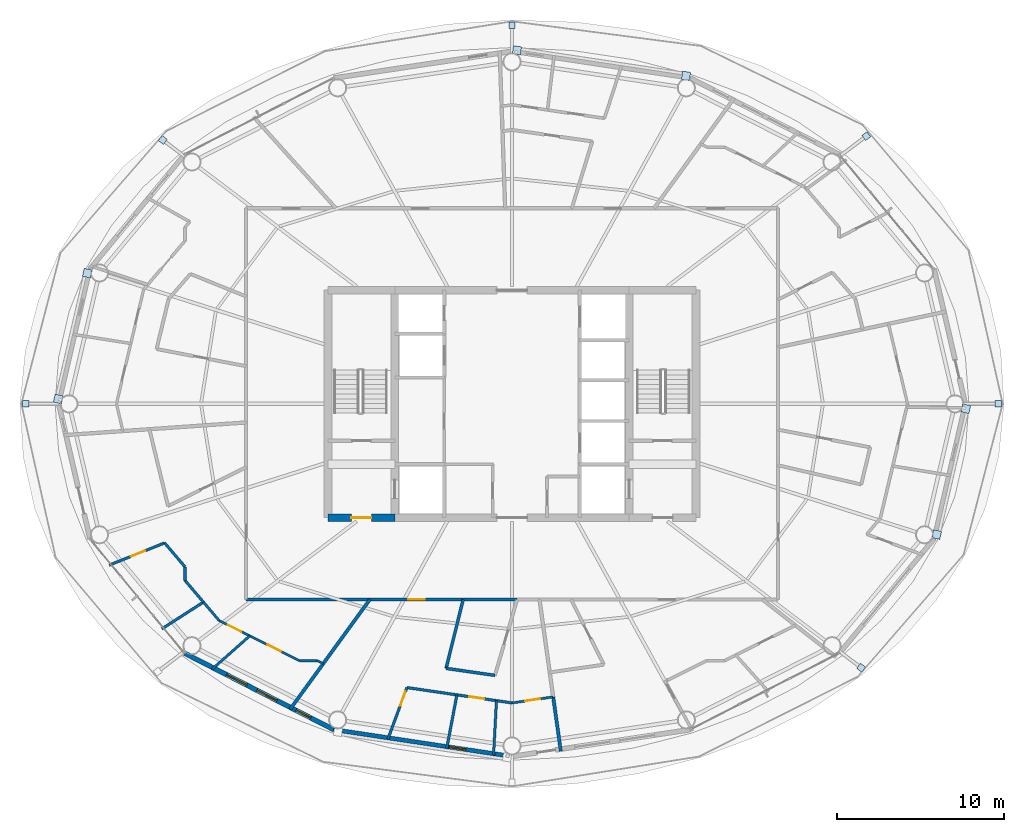
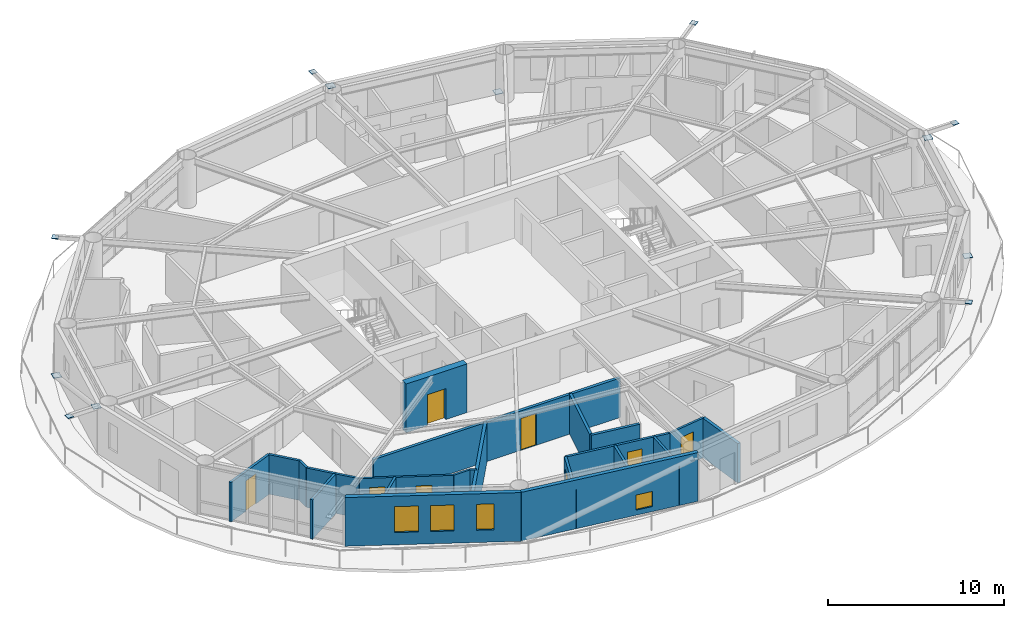
# One storey, part 20 of 30: 23 walls, 12 plates, 8 doors, 4 windows, 12 openings.
"""IFC4 building model written with IfcOpenShell, lengths in metres."""

import ifcopenshell
import ifcopenshell.guid

model = None  # the IFC model being written
_history = None  # IfcOwnerHistory: only IFC2X3 demands one
_inside = {}  # id of a spatial element -> (the spatial element, [elements in it])
_under = {}  # id of a project, library or spatial element -> (it, [spatial elements below it])
_declared = {}  # id of a project -> (the project, [libraries it declares])
_typed = {}  # id of a type object -> (the type object, [elements of that type])
_made_of = {}  # id of a material, layer set ... -> (it, [elements and type objects made of it])


def new_model(schema):
    """Start an empty IFC model of exactly this schema.

    Asked for "IFC4X3", IfcOpenShell would pick the latest addendum, in which some entities
    have other attributes; the version numbers below select the first issue.
    IFC2X3 requires an IfcOwnerHistory on every rooted entity: one is made here for all.
    """
    global model, _history
    if schema == "IFC4X3":
        model = ifcopenshell.file(schema_version=(4, 3, 0, 0))
    else:
        model = ifcopenshell.file(schema=schema)
    _inside.clear()
    _under.clear()
    _declared.clear()
    _typed.clear()
    _made_of.clear()
    _history = None
    if model.schema == "IFC2X3":
        org = make("IfcOrganization", Name="unknown")
        user = make(
            "IfcPersonAndOrganization",
            ThePerson=make("IfcPerson", FamilyName="unknown"),
            TheOrganization=org,
        )
        app = make(
            "IfcApplication",
            ApplicationDeveloper=org,
            Version="unknown",
            ApplicationFullName="unknown",
            ApplicationIdentifier="unknown",
        )
        _history = make(
            "IfcOwnerHistory",
            OwningUser=user,
            OwningApplication=app,
            ChangeAction="ADDED",
            CreationDate=0,
        )
    return model


def make(cls, **values):
    """One entity of the class cls with the attributes given. An attribute that is None is left unset."""
    return model.create_entity(
        cls, **{name: value for name, value in values.items() if value is not None}
    )


def rooted(cls, **values):
    """An entity with a GlobalId (a new one), such as an element, a storey or a relation."""
    return make(cls, GlobalId=ifcopenshell.guid.new(), OwnerHistory=_history, **values)


def si_unit(unit_type, name, prefix=None):
    """IfcSIUnit, for example si_unit("LENGTHUNIT", "METRE", prefix="MILLI")."""
    return make("IfcSIUnit", UnitType=unit_type, Prefix=prefix, Name=name)


def assignment(units):
    """IfcUnitAssignment: the units of a project."""
    return None if units is None else make("IfcUnitAssignment", Units=units)


def point(xyz):
    """IfcCartesianPoint."""
    return None if xyz is None else make("IfcCartesianPoint", Coordinates=xyz)


def direction(xyz):
    """IfcDirection."""
    return None if xyz is None else make("IfcDirection", DirectionRatios=xyz)


def frame(location, z_axis=None, x_axis=None):
    """IfcAxis2Placement3D, a coordinate frame: its origin and axes. An axis left out is left unset."""
    return make(
        "IfcAxis2Placement3D",
        Location=point(location),
        Axis=direction(z_axis),
        RefDirection=direction(x_axis),
    )


def frame_2d(location, x_axis=None):
    """IfcAxis2Placement2D, a coordinate frame in the plane: its origin and x axis."""
    return make(
        "IfcAxis2Placement2D", Location=point(location), RefDirection=direction(x_axis)
    )


def origin():
    """The frame at (0, 0, 0) with its axes left unset."""
    return frame((0.0, 0.0, 0.0))


def origin_2d():
    """The frame at (0, 0) in the plane with its x axis left unset."""
    return frame_2d((0.0, 0.0))


def place(relative_to, where):
    """IfcLocalPlacement: puts the frame where relative to a parent placement (None: the world)."""
    return make(
        "IfcLocalPlacement", PlacementRelTo=relative_to, RelativePlacement=where
    )


def context(
    kind, dimensions, precision=None, world=None, true_north=None, identifier=None
):
    """IfcGeometricRepresentationContext, for example the 3D "Model" context."""
    return make(
        "IfcGeometricRepresentationContext",
        ContextIdentifier=identifier,
        ContextType=kind,
        CoordinateSpaceDimension=dimensions,
        Precision=precision,
        WorldCoordinateSystem=world,
        TrueNorth=true_north,
    )


def subcontext(parent, identifier, kind, view, scale=None):
    """IfcGeometricRepresentationSubContext, for example "Body" below "Model"."""
    return make(
        "IfcGeometricRepresentationSubContext",
        ContextIdentifier=identifier,
        ContextType=kind,
        ParentContext=parent,
        TargetScale=scale,
        TargetView=view,
    )


def project(units=None, contexts=None):
    """IfcProject with its units and contexts."""
    return rooted(
        "IfcProject",
        Name="project",
        RepresentationContexts=contexts,
        UnitsInContext=assignment(units),
    )


def spatial(cls, under=None, at=None, **own):
    """A site, building, storey or space (cls), placed at a placement, below another one or the project."""
    s = rooted(cls, ObjectPlacement=at, **own)
    if under is not None:
        _under.setdefault(under.id(), (under, []))[1].append(s)
    return s


def profile(cls, at=None, kind="AREA", **sizes):
    """A parametric profile (cls). Its sizes go by their IFC names, for example OverallWidth=200.0."""
    return make(cls, ProfileType=kind, Position=at, **sizes)


def rectangle(**sizes):
    """IfcRectangleProfileDef."""
    return profile("IfcRectangleProfileDef", **sizes)


def extrude(swept, where, along, depth):
    """IfcExtrudedAreaSolid: the profile swept, set in the frame where, extruded along a direction by depth."""
    return make(
        "IfcExtrudedAreaSolid",
        SweptArea=swept,
        Position=where,
        ExtrudedDirection=direction(along),
        Depth=depth,
    )


def shape(context_of_items, identifier, shape_type, items):
    """IfcShapeRepresentation: the items that make up one representation, for example the "Body"."""
    return make(
        "IfcShapeRepresentation",
        ContextOfItems=context_of_items,
        RepresentationIdentifier=identifier,
        RepresentationType=shape_type,
        Items=items,
    )


def material(Name=None, Category=None):
    """IfcMaterial."""
    return make("IfcMaterial", Name=Name, Category=Category)


def layer(
    of_material, thickness, ventilated=None, Name=None, Category=None, Priority=None
):
    """IfcMaterialLayer: one layer of a wall or slab, of a material (None: an air gap)."""
    return make(
        "IfcMaterialLayer",
        Material=of_material,
        LayerThickness=thickness,
        IsVentilated=ventilated,
        Name=Name,
        Category=Category,
        Priority=Priority,
    )


def layer_set(layers, Name=None):
    """IfcMaterialLayerSet."""
    return make("IfcMaterialLayerSet", MaterialLayers=layers, LayerSetName=Name)


def made_of(thing, what):
    """Note that an element or type object is made of a material, layer set ...; save() writes the relation."""
    if what is not None:
        _made_of.setdefault(what.id(), (what, []))[1].append(thing)
    return thing


def type_object(cls, material=None, **own):
    """A type object (cls), such as IfcWallType, which elements share."""
    return made_of(rooted(cls, **own), material)


def element(
    cls,
    number,
    at=None,
    inside=None,
    cuts=None,
    type_object=None,
    material=None,
    context=None,
    identifier="Body",
    shape_type=None,
    held_by="IfcProductDefinitionShape",
    body=None,
    shapes=None,
    **own,
):
    """One element of the class cls, such as IfcWall. Its Tag is "e" and its number.

    at: its placement. inside: the storey or other place that contains it. cuts: it is an
    opening in that element (IfcRelVoidsElement). A single representation is given by context,
    identifier, shape_type and body (its items); several are given by shapes. held_by: the class
    of the entity that holds the representations. save() writes the other relations.
    """
    e = rooted(cls, Tag="e%d" % number, ObjectPlacement=at, **own)
    if body is not None:
        shapes = [shape(context, identifier, shape_type, body)]
    if shapes is not None:
        e.Representation = make(held_by, Representations=shapes)
    if inside is not None:
        _inside.setdefault(inside.id(), (inside, []))[1].append(e)
    if cuts is not None:
        rooted(
            "IfcRelVoidsElement", RelatingBuildingElement=cuts, RelatedOpeningElement=e
        )
    if type_object is not None:
        _typed.setdefault(type_object.id(), (type_object, []))[1].append(e)
    return made_of(e, material)


def fill(opening, filler):
    """IfcRelFillsElement: the door or window that sits in an opening."""
    return rooted(
        "IfcRelFillsElement",
        RelatingOpeningElement=opening,
        RelatedBuildingElement=filler,
    )


def aggregate(whole, parts):
    """IfcRelAggregates: a whole, such as a stair, and the parts it consists of."""
    return rooted("IfcRelAggregates", RelatingObject=whole, RelatedObjects=parts)


def save(model, path):
    """Write the relations noted so far, then the file.

    IfcRelAggregates (storeys below a building ...), IfcRelContainedInSpatialStructure (elements
    in a storey), IfcRelDefinesByType, IfcRelAssociatesMaterial and IfcRelDeclares: one each for
    every whole, place, type object, material and project.
    """
    for whole, parts in _under.values():
        aggregate(whole, parts)
    for where, things in _inside.values():
        rooted(
            "IfcRelContainedInSpatialStructure",
            RelatedElements=things,
            RelatingStructure=where,
        )
    for kind, things in _typed.values():
        rooted("IfcRelDefinesByType", RelatedObjects=things, RelatingType=kind)
    for what, things in _made_of.values():
        rooted("IfcRelAssociatesMaterial", RelatedObjects=things, RelatingMaterial=what)
    for by, libraries in _declared.values():
        rooted("IfcRelDeclares", RelatingContext=by, RelatedDefinitions=libraries)
    model.write(path)


model = new_model("IFC4")

# Units and contexts
model_context = context("Model", 3, precision=1e-05, world=origin(), true_north=direction((0.0, 1.0)))
body_context = subcontext(model_context, "Body", "Model", "MODEL_VIEW")
ifc_project = project(units=[si_unit("LENGTHUNIT", "METRE"), si_unit("AREAUNIT", "SQUARE_METRE"), si_unit("VOLUMEUNIT", "CUBIC_METRE"), si_unit("PLANEANGLEUNIT", "RADIAN"), si_unit("MASSUNIT", "GRAM", prefix="KILO")], contexts=[model_context])

# Site, building, storey
site_placement = place(None, origin())
site = spatial("IfcSite", under=ifc_project, at=site_placement, CompositionType="ELEMENT")
building_placement = place(site_placement, origin())
building = spatial("IfcBuilding", under=site, at=building_placement, Name="Sarneth Arch Tower", CompositionType="ELEMENT")
storey_placement = place(building_placement, frame((0.0, 0.0, 168.60009765625)))
storey = spatial("IfcBuildingStorey", under=building, at=storey_placement, Name="L42", CompositionType="ELEMENT", Elevation=168.60009765625)

# Plates
ifc_material_1 = material(Name="Steel S355", Category="steel")
ifc_layer_1 = layer(ifc_material_1, 0.035888671875)
ifc_layer_set_1 = layer_set([ifc_layer_1], Name="Steel S355")
plate_type = type_object("IfcPlateType", Name="PLT-GUSSET-30", PredefinedType="SHEET", material=ifc_layer_set_1)
for number, where, z_axis, x_axis, name in (
    (1, (77.059814453125, 42.0, 3.2021484375), (0.0, 0.0, 1.0), (1.0, 0.0, 0.0), "Steel end cap plate GP-1"),
    (2, (69.180908203125, 58.007568359375, 3.2021484375), (0.0, 0.0, 1.0), (0.797794439539, 0.602929541689, 0.0), "Steel end cap plate GP-1"),
):
    element("IfcPlate", number, at=place(storey_placement, frame(where, z_axis=z_axis, x_axis=x_axis)), inside=storey, type_object=plate_type, Name=name, PredefinedType="SHEET", context=body_context, shape_type="SweptSolid", body=[
        extrude(rectangle(XDim=0.3798828125, YDim=0.3798828125, at=origin_2d()), origin(), (0.0, 0.0, 1.0), 0.035888671875),
    ])
for number, where, z_axis, x_axis, name in (
    (3, (58.404296875, 61.612548828125, 0.001953125), (0.0, 0.0, 1.0), (-0.98883454203, 0.149017611339, 0.0), "Steel end cap plate GP-1"),
    (4, (48.296630859375, 63.13525390625, 3.03271484375), (0.0, 0.0, 1.0), (-0.98883454203, 0.149017611339, 0.0), "Steel end cap plate GP-1"),
):
    element("IfcPlate", number, at=place(storey_placement, frame(where, z_axis=z_axis, x_axis=x_axis)), inside=storey, type_object=plate_type, Name=name, PredefinedType="SHEET", context=body_context, shape_type="SweptSolid", body=[
        extrude(rectangle(XDim=0.486083984375, YDim=0.486083984375, at=origin_2d()), origin(), (0.0, 0.0, 1.0), 0.035888671875),
    ])
for number, where, z_axis, x_axis, name in (
    (5, (48.0, 64.627197265625, 3.2021484375), (0.0, 0.0, 1.0), (0.0, 1.0, 0.0), "Steel end cap plate GP-1"),
    (6, (27.123779296875, 57.777099609375, 3.2021484375), (0.0, 0.0, 1.0), (-0.797794439539, 0.602929541689, 0.0), "Steel end cap plate GP-1"),
):
    element("IfcPlate", number, at=place(storey_placement, frame(where, z_axis=z_axis, x_axis=x_axis)), inside=storey, type_object=plate_type, Name=name, PredefinedType="SHEET", context=body_context, shape_type="SweptSolid", body=[
        extrude(rectangle(XDim=0.3798828125, YDim=0.3798828125, at=origin_2d()), origin(), (0.0, 0.0, 1.0), 0.035888671875),
    ])
for number, where, z_axis, x_axis, name in (
    (7, (22.609619140625, 49.81298828125, 0.001953125), (0.0, 0.0, 1.0), (-0.225291159947, -0.974291482694, 0.0), "Steel end cap plate GP-1"),
    (8, (20.87109375, 42.292236328125, 3.03271484375), (0.0, 0.0, 1.0), (-0.225291159947, -0.974291482694, 0.0), "Steel end cap plate GP-1"),
):
    element("IfcPlate", number, at=place(storey_placement, frame(where, z_axis=z_axis, x_axis=x_axis)), inside=storey, type_object=plate_type, Name=name, PredefinedType="SHEET", context=body_context, shape_type="SweptSolid", body=[
        extrude(rectangle(XDim=0.486083984375, YDim=0.486083984375, at=origin_2d()), origin(), (0.0, 0.0, 1.0), 0.035888671875),
    ])
for number, where, z_axis, x_axis, name in (
    (9, (18.940185546875, 42.0, 3.2021484375), (0.0, 0.0, 1.0), (-1.0, 0.0, 0.0), "Steel end cap plate GP-1"),
    (10, (68.876220703125, 26.222900390625, 3.2021484375), (0.0, 0.0, 1.0), (0.797794439539, -0.602929541689, 0.0), "Steel end cap plate GP-1"),
):
    element("IfcPlate", number, at=place(storey_placement, frame(where, z_axis=z_axis, x_axis=x_axis)), inside=storey, type_object=plate_type, Name=name, PredefinedType="SHEET", context=body_context, shape_type="SweptSolid", body=[
        extrude(rectangle(XDim=0.3798828125, YDim=0.3798828125, at=origin_2d()), origin(), (0.0, 0.0, 1.0), 0.035888671875),
    ])
for number, where, z_axis, x_axis, name in (
    (11, (73.390380859375, 34.18701171875, 0.001953125), (0.0, 0.0, 1.0), (0.225291159947, 0.974291482694, 0.0), "Steel end cap plate GP-1"),
    (12, (75.12890625, 41.707763671875, 3.03271484375), (0.0, 0.0, 1.0), (0.225291159947, 0.974291482694, 0.0), "Steel end cap plate GP-1"),
):
    element("IfcPlate", number, at=place(storey_placement, frame(where, z_axis=z_axis, x_axis=x_axis)), inside=storey, type_object=plate_type, Name=name, PredefinedType="SHEET", context=body_context, shape_type="SweptSolid", body=[
        extrude(rectangle(XDim=0.486083984375, YDim=0.486083984375, at=origin_2d()), origin(), (0.0, 0.0, 1.0), 0.035888671875),
    ])

# Wall, opening, door
ifc_material_2 = material(Name="Concrete C50/60", Category="concrete")
ifc_layer_2 = layer(ifc_material_2, 0.449951171875)
ifc_layer_set_2 = layer_set([ifc_layer_2], Name="Concrete C50/60")
wall_type_1 = type_object("IfcWallType", Name="WALL-CORE-450", PredefinedType="SHEAR", material=ifc_layer_set_2)
wall_1_placement = place(storey_placement, frame((37.0, 35.199951171875, 0.0), z_axis=(0.0, 0.0, 1.0), x_axis=(1.0, 0.0, 0.0)))
wall_1 = element("IfcWall", 13, at=wall_1_placement, inside=storey, type_object=wall_type_1, Name="L42 Core shear wall S-W", PredefinedType="SHEAR", context=body_context, shape_type="SweptSolid", body=[
    extrude(rectangle(XDim=4.0, YDim=0.449951171875, at=frame_2d((2.0, 0.0))), origin(), (0.0, 0.0, 1.0), 3.3798828125),
])
opening_1_placement = place(wall_1_placement, frame((1.39990234375, 0.0, 0.0)))
opening_1 = element("IfcOpeningElement", 14, at=opening_1_placement, cuts=wall_1, Name="Opening FD-02", PredefinedType="OPENING", context=body_context, shape_type="SweptSolid", body=[
    extrude(rectangle(XDim=1.199951171875, YDim=2.14990234375, at=frame_2d((0.60009765625, 1.074951171875))), frame((0.0, 0.23486328125, 0.0), z_axis=(0.0, -1.0, 0.0), x_axis=(1.0, 0.0, 0.0)), (0.0, 0.0, 1.0), 0.469970703125),
])
ifc_material_3 = material(Name="Galvanised Steel S275 fire door set", Category="steel")
door_type_1 = type_object("IfcDoorType", Name="DR-FD90-1200", OperationType="SINGLE_SWING_LEFT", PredefinedType="DOOR", material=ifc_material_3)
door_1_placement = place(opening_1_placement, origin())
door_1 = element("IfcDoor", 15, at=door_1_placement, inside=storey, type_object=door_type_1, Name="L42 Firefighting lobby 1 exit door", OperationType="SINGLE_SWING_LEFT", OverallHeight=2.14990234375, OverallWidth=1.199951171875, PredefinedType="DOOR", context=body_context, shape_type="SweptSolid", body=[
    extrude(rectangle(XDim=1.199951171875, YDim=2.14990234375, at=frame_2d((0.60009765625, 1.074951171875))), frame((0.0, 0.02490234375, 0.0), z_axis=(0.0, -1.0, 0.0), x_axis=(1.0, 0.0, 0.0)), (0.0, 0.0, 1.0), 0.050048828125),
])
fill(opening_1, door_1)

ifc_material_4 = material(Name="Double steel-stud corridor fire wall", Category="steel")
ifc_layer_3 = layer(ifc_material_4, 0.18994140625)
ifc_layer_set_3 = layer_set([ifc_layer_3], Name="Double steel-stud corridor fire wall")
wall_type_2 = type_object("IfcWallType", Name="WALL-CORR-190", PredefinedType="PARTITIONING", material=ifc_layer_set_3)
wall_2_placement = place(storey_placement, frame((48.307861328125, 30.300048828125, 0.0), z_axis=(0.0, 0.0, 1.0), x_axis=(-1.0, 0.0, 0.0)))
wall_2 = element("IfcWall", 16, at=wall_2_placement, inside=storey, type_object=wall_type_2, Name="L42 Interior partition W-L42-TP-011", PredefinedType="PARTITIONING", context=body_context, shape_type="SweptSolid", body=[
    extrude(rectangle(XDim=16.207763671875, YDim=0.18994140625, at=frame_2d((8.10400390625, 0.0))), origin(), (0.0, 0.0, 1.0), 2.739990234375),
])
opening_2_placement = place(wall_2_placement, frame((5.52001953125, 0.0, 0.0)))
opening_2 = element("IfcOpeningElement", 17, at=opening_2_placement, cuts=wall_2, Name="Opening FD-08", PredefinedType="OPENING", context=body_context, shape_type="SweptSolid", body=[
    extrude(rectangle(XDim=1.0, YDim=2.199951171875, at=frame_2d((0.5, 1.10009765625))), frame((0.0, 0.10498046875, 0.0), z_axis=(0.0, -1.0, 0.0), x_axis=(1.0, 0.0, 0.0)), (0.0, 0.0, 1.0), 0.2099609375),
])
ifc_material_5 = material(Name="Hardwood timber acoustic fire door", Category="wood")
door_type_2 = type_object("IfcDoorType", Name="DR-FD60-1000", OperationType="SINGLE_SWING_LEFT", PredefinedType="DOOR", material=ifc_material_5)
door_2_placement = place(opening_2_placement, origin())
door_2 = element("IfcDoor", 18, at=door_2_placement, inside=storey, type_object=door_type_2, Name="L42 Interior door DR-L42-U6-ENT", OperationType="SINGLE_SWING_RIGHT", OverallHeight=2.199951171875, OverallWidth=1.0, PredefinedType="DOOR", context=body_context, shape_type="SweptSolid", body=[
    extrude(rectangle(XDim=1.0, YDim=2.199951171875, at=frame_2d((0.5, 1.10009765625))), frame((0.0, 0.02490234375, 0.0), z_axis=(0.0, -1.0, 0.0), x_axis=(1.0, 0.0, 0.0)), (0.0, 0.0, 1.0), 0.050048828125),
])
fill(opening_2, door_2)

# Wall, opening, window
ifc_material_6 = material(Name="Extruded terracotta rainscreen on Concrete C40/50 backing", Category="masonry")
ifc_layer_4 = layer(ifc_material_6, 0.25)
ifc_layer_set_4 = layer_set([ifc_layer_4], Name="Extruded terracotta rainscreen on Concrete C40/50 backing")
wall_type_3 = type_object("IfcWallType", Name="WALL-EXT-SPAND-250", PredefinedType="SOLIDWALL", material=ifc_layer_set_4)
wall_3_placement = place(storey_placement, frame((37.337158203125, 22.524658203125, 0.0), z_axis=(0.0, 0.0, 1.0), x_axis=(0.988863993413, -0.148822049884, 0.0)))
wall_3 = element("IfcWall", 19, at=wall_3_placement, inside=storey, type_object=wall_type_3, Name="L42 Terracotta perimeter wall 12", PredefinedType="SOLIDWALL", context=body_context, shape_type="SweptSolid", body=[
    extrude(rectangle(XDim=10.782958984375, YDim=0.25, at=frame_2d((5.3916015625, 0.0))), origin(), (0.0, 0.0, 1.0), 3.3798828125),
])
opening_3_placement = place(wall_3_placement, frame((6.993408203125, 0.0, 0.35009765625)))
opening_3 = element("IfcOpeningElement", 20, at=opening_3_placement, cuts=wall_3, Name="Opening W-14", PredefinedType="OPENING", context=body_context, shape_type="SweptSolid", body=[
    extrude(rectangle(XDim=1.0, YDim=1.050048828125, at=frame_2d((0.5, 0.52490234375))), frame((0.0, 0.135009765625, 0.0), z_axis=(0.0, -1.0, 0.0), x_axis=(1.0, 0.0, 0.0)), (0.0, 0.0, 1.0), 0.27001953125),
])
ifc_material_7 = material(Name="Thermally broken Aluminium 6063-T6 and low-e laminated IGU", Category="aluminium")
window_type_1 = type_object("IfcWindowType", Name="WIN-TWR-1000x1050", PartitioningType="SINGLE_PANEL", PredefinedType="WINDOW", material=ifc_material_7)
window_1_placement = place(opening_3_placement, origin())
window_1 = element("IfcWindow", 21, at=window_1_placement, inside=storey, type_object=window_type_1, Name="L42 Dwelling bedroom window 05", OverallHeight=1.050048828125, OverallWidth=1.0, PartitioningType="SINGLE_PANEL", PredefinedType="WINDOW", context=body_context, shape_type="SweptSolid", body=[
    extrude(rectangle(XDim=1.0, YDim=1.050048828125, at=frame_2d((0.5, 0.52490234375))), frame((0.0, 0.030029296875, 0.0), z_axis=(0.0, -1.0, 0.0), x_axis=(1.0, 0.0, 0.0)), (0.0, 0.0, 1.0), 0.06005859375),
])
fill(opening_3, window_1)

# Wall, openings, windows
ifc_material_8 = material(Name="Extruded terracotta rainscreen on Concrete C40/50 backing", Category="masonry")
ifc_layer_5 = layer(ifc_material_8, 0.280029296875)
ifc_layer_set_5 = layer_set([ifc_layer_5], Name="Extruded terracotta rainscreen on Concrete C40/50 backing")
wall_type_4 = type_object("IfcWallType", Name="WALL-EXT-TERRA-280", PredefinedType="SOLIDWALL", material=ifc_layer_set_5)
wall_4_placement = place(storey_placement, frame((28.423828125, 27.09423828125, 0.0), z_axis=(0.0, 0.0, 1.0), x_axis=(0.889872523182, -0.456209263919, 0.0)))
wall_4 = element("IfcWall", 22, at=wall_4_placement, inside=storey, type_object=wall_type_4, Name="L42 Terracotta perimeter wall 11", PredefinedType="SOLIDWALL", context=body_context, shape_type="SweptSolid", body=[
    extrude(rectangle(XDim=10.016357421875, YDim=0.280029296875, at=frame_2d((5.00830078125, 0.0))), origin(), (0.0, 0.0, 1.0), 3.3798828125),
])
opening_4_placement = place(wall_4_placement, frame((2.8291015625, 0.0, 0.85009765625)))
opening_4 = element("IfcOpeningElement", 23, at=opening_4_placement, cuts=wall_4, Name="Opening W-08", PredefinedType="OPENING", context=body_context, shape_type="SweptSolid", body=[
    extrude(rectangle(XDim=1.35009765625, YDim=1.800048828125, at=frame_2d((0.675048828125, 0.89990234375))), frame((0.0, 0.14990234375, 0.0), z_axis=(0.0, -1.0, 0.0), x_axis=(1.0, 0.0, 0.0)), (0.0, 0.0, 1.0), 0.300048828125),
])
opening_5_placement = place(wall_4_placement, frame((4.861083984375, 0.0, 0.85009765625)))
opening_5 = element("IfcOpeningElement", 24, at=opening_5_placement, cuts=wall_4, Name="Opening W-08", PredefinedType="OPENING", context=body_context, shape_type="SweptSolid", body=[
    extrude(rectangle(XDim=1.35009765625, YDim=1.800048828125, at=frame_2d((0.675048828125, 0.89990234375))), frame((0.0, 0.14990234375, 0.0), z_axis=(0.0, -1.0, 0.0), x_axis=(1.0, 0.0, 0.0)), (0.0, 0.0, 1.0), 0.300048828125),
])
opening_6_placement = place(wall_4_placement, frame((7.479248046875, 0.0, 0.85009765625)))
opening_6 = element("IfcOpeningElement", 25, at=opening_6_placement, cuts=wall_4, Name="Opening W-11", PredefinedType="OPENING", context=body_context, shape_type="SweptSolid", body=[
    extrude(rectangle(XDim=1.0, YDim=1.800048828125, at=frame_2d((0.5, 0.89990234375))), frame((0.0, 0.14990234375, 0.0), z_axis=(0.0, -1.0, 0.0), x_axis=(1.0, 0.0, 0.0)), (0.0, 0.0, 1.0), 0.300048828125),
])
ifc_material_9 = material(Name="Thermally broken Aluminium 6063-T6 and low-e laminated IGU", Category="aluminium")
window_type_2 = type_object("IfcWindowType", Name="WIN-TWR-1000x1800", PartitioningType="SINGLE_PANEL", PredefinedType="WINDOW", material=ifc_material_9)
window_2_placement = place(opening_6_placement, origin())
window_2 = element("IfcWindow", 26, at=window_2_placement, inside=storey, type_object=window_type_2, Name="L42 Exterior window 11C", OverallHeight=1.800048828125, OverallWidth=1.0, PartitioningType="SINGLE_PANEL", PredefinedType="WINDOW", context=body_context, shape_type="SweptSolid", body=[
    extrude(rectangle(XDim=1.0, YDim=1.800048828125, at=frame_2d((0.5, 0.89990234375))), frame((0.0, 0.030029296875, 0.0), z_axis=(0.0, -1.0, 0.0), x_axis=(1.0, 0.0, 0.0)), (0.0, 0.0, 1.0), 0.06005859375),
])
fill(opening_6, window_2)
ifc_material_10 = material(Name="Thermally broken Aluminium 6063-T6 and low-e laminated IGU", Category="aluminium")
window_type_3 = type_object("IfcWindowType", Name="WIN-TWR-1350x1800", PartitioningType="SINGLE_PANEL", PredefinedType="WINDOW", material=ifc_material_10)
window_3_placement = place(opening_4_placement, origin())
window_3 = element("IfcWindow", 27, at=window_3_placement, inside=storey, type_object=window_type_3, Name="L42 Exterior window 11A", OverallHeight=1.800048828125, OverallWidth=1.35009765625, PartitioningType="SINGLE_PANEL", PredefinedType="WINDOW", context=body_context, shape_type="SweptSolid", body=[
    extrude(rectangle(XDim=1.35009765625, YDim=1.800048828125, at=frame_2d((0.675048828125, 0.89990234375))), frame((0.0, 0.030029296875, 0.0), z_axis=(0.0, -1.0, 0.0), x_axis=(1.0, 0.0, 0.0)), (0.0, 0.0, 1.0), 0.06005859375),
])
fill(opening_4, window_3)
window_4_placement = place(opening_5_placement, origin())
window_4 = element("IfcWindow", 28, at=window_4_placement, inside=storey, type_object=window_type_3, Name="L42 Exterior window 11B", OverallHeight=1.800048828125, OverallWidth=1.35009765625, PartitioningType="SINGLE_PANEL", PredefinedType="WINDOW", context=body_context, shape_type="SweptSolid", body=[
    extrude(rectangle(XDim=1.35009765625, YDim=1.800048828125, at=frame_2d((0.675048828125, 0.89990234375))), frame((0.0, 0.030029296875, 0.0), z_axis=(0.0, -1.0, 0.0), x_axis=(1.0, 0.0, 0.0)), (0.0, 0.0, 1.0), 0.06005859375),
])
fill(opening_5, window_4)

# Wall, openings, doors
ifc_material_11 = material(Name="Apartment internal stud partition", Category="gypsum")
ifc_layer_6 = layer(ifc_material_11, 0.139892578125)
ifc_layer_set_6 = layer_set([ifc_layer_6], Name="Apartment internal stud partition")
wall_type_5 = type_object("IfcWallType", Name="WALL-PART-140", PredefinedType="PARTITIONING", material=ifc_layer_set_6)
wall_5_placement = place(storey_placement, frame((35.28662109375, 26.64990234375, 0.0), z_axis=(0.0, 0.0, 1.0), x_axis=(-0.894937323042, 0.44619187333, 0.0)))
wall_5 = element("IfcWall", 29, at=wall_5_placement, inside=storey, type_object=wall_type_5, Name="L42 Interior partition W-L42-TP-080", PredefinedType="PARTITIONING", context=body_context, shape_type="SweptSolid", body=[
    extrude(rectangle(XDim=5.35400390625, YDim=0.139892578125, at=frame_2d((2.677001953125, 0.0))), origin(), (0.0, 0.0, 1.0), 2.739990234375),
])
opening_7_placement = place(wall_5_placement, frame((1.22412109375, 0.0, 0.0)))
opening_7 = element("IfcOpeningElement", 30, at=opening_7_placement, cuts=wall_5, Name="Opening ID-01", PredefinedType="OPENING", context=body_context, shape_type="SweptSolid", body=[
    extrude(rectangle(XDim=0.89990234375, YDim=2.10009765625, at=frame_2d((0.449951171875, 1.050048828125))), frame((0.0, 0.079833984375, 0.0), z_axis=(0.0, -1.0, 0.0), x_axis=(1.0, 0.0, 0.0)), (0.0, 0.0, 1.0), 0.159912109375),
])
opening_8_placement = place(wall_5_placement, frame((3.8837890625, 0.0, 0.0)))
opening_8 = element("IfcOpeningElement", 31, at=opening_8_placement, cuts=wall_5, Name="Opening ID-01", PredefinedType="OPENING", context=body_context, shape_type="SweptSolid", body=[
    extrude(rectangle(XDim=0.89990234375, YDim=2.10009765625, at=frame_2d((0.449951171875, 1.050048828125))), frame((0.0, 0.079833984375, 0.0), z_axis=(0.0, -1.0, 0.0), x_axis=(1.0, 0.0, 0.0)), (0.0, 0.0, 1.0), 0.159912109375),
])
ifc_material_12 = material(Name="Engineered hardwood flush door", Category="wood")
door_type_3 = type_object("IfcDoorType", Name="DR-INT-900", OperationType="SINGLE_SWING_LEFT", PredefinedType="DOOR", material=ifc_material_12)
door_3_placement = place(opening_7_placement, origin())
door_3 = element("IfcDoor", 32, at=door_3_placement, inside=storey, type_object=door_type_3, Name="L42 Interior door DR-L42-U5-BED2", OperationType="SINGLE_SWING_RIGHT", OverallHeight=2.10009765625, OverallWidth=0.89990234375, PredefinedType="DOOR", context=body_context, shape_type="SweptSolid", body=[
    extrude(rectangle(XDim=0.89990234375, YDim=2.10009765625, at=frame_2d((0.449951171875, 1.050048828125))), frame((0.0, 0.02490234375, 0.0), z_axis=(0.0, -1.0, 0.0), x_axis=(1.0, 0.0, 0.0)), (0.0, 0.0, 1.0), 0.050048828125),
])
fill(opening_7, door_3)
door_4_placement = place(opening_8_placement, origin())
door_4 = element("IfcDoor", 33, at=door_4_placement, inside=storey, type_object=door_type_3, Name="L42 Interior door DR-L42-U5-BED1", OperationType="SINGLE_SWING_RIGHT", OverallHeight=2.10009765625, OverallWidth=0.89990234375, PredefinedType="DOOR", context=body_context, shape_type="SweptSolid", body=[
    extrude(rectangle(XDim=0.89990234375, YDim=2.10009765625, at=frame_2d((0.449951171875, 1.050048828125))), frame((0.0, 0.02490234375, 0.0), z_axis=(0.0, -1.0, 0.0), x_axis=(1.0, 0.0, 0.0)), (0.0, 0.0, 1.0), 0.050048828125),
])
fill(opening_8, door_4)

# Wall, opening, door
wall_6_placement = place(storey_placement, frame((50.46240234375, 24.47998046875, 0.0), z_axis=(0.0, 0.0, 1.0), x_axis=(-0.989489157172, -0.144607080872, 0.0)))
wall_6 = element("IfcWall", 34, at=wall_6_placement, inside=storey, type_object=wall_type_5, Name="L42 Interior partition W-L42-TP-091", PredefinedType="PARTITIONING", context=body_context, shape_type="SweptSolid", body=[
    extrude(rectangle(XDim=2.488525390625, YDim=0.139892578125, at=frame_2d((1.244140625, 0.0))), origin(), (0.0, 0.0, 1.0), 2.739990234375),
])
opening_9_placement = place(wall_6_placement, frame((0.794189453125, 0.0, 0.0)))
opening_9 = element("IfcOpeningElement", 35, at=opening_9_placement, cuts=wall_6, Name="Opening ID-01", PredefinedType="OPENING", context=body_context, shape_type="SweptSolid", body=[
    extrude(rectangle(XDim=0.89990234375, YDim=2.10009765625, at=frame_2d((0.449951171875, 1.050048828125))), frame((0.0, 0.079833984375, 0.0), z_axis=(0.0, -1.0, 0.0), x_axis=(1.0, 0.0, 0.0)), (0.0, 0.0, 1.0), 0.159912109375),
])
door_5_placement = place(opening_9_placement, origin())
door_5 = element("IfcDoor", 36, at=door_5_placement, inside=storey, type_object=door_type_3, Name="L42 Interior door DR-L42-U6-BED2", OperationType="SINGLE_SWING_LEFT", OverallHeight=2.10009765625, OverallWidth=0.89990234375, PredefinedType="DOOR", context=body_context, shape_type="SweptSolid", body=[
    extrude(rectangle(XDim=0.89990234375, YDim=2.10009765625, at=frame_2d((0.449951171875, 1.050048828125))), frame((0.0, 0.02490234375, 0.0), z_axis=(0.0, -1.0, 0.0), x_axis=(1.0, 0.0, 0.0)), (0.0, 0.0, 1.0), 0.050048828125),
])
fill(opening_9, door_5)

# Walls
wall_7_placement = place(storey_placement, frame((36.348876953125, 26.64990234375, 0.0), z_axis=(0.0, 0.0, 1.0), x_axis=(-1.0, 0.0, 0.0)))
element("IfcWall", 37, at=wall_7_placement, inside=storey, type_object=wall_type_5, Name="L42 Interior partition W-L42-TP-079", PredefinedType="PARTITIONING", context=body_context, shape_type="SweptSolid", body=[
    extrude(rectangle(XDim=1.062255859375, YDim=0.139892578125, at=frame_2d((0.53125, 0.0))), origin(), (0.0, 0.0, 1.0), 2.739990234375),
])
wall_8_placement = place(storey_placement, frame((36.715087890625, 26.467529296875, 0.0), z_axis=(0.0, 0.0, 1.0), x_axis=(-0.895142158028, 0.445780794698, 0.0)))
element("IfcWall", 38, at=wall_8_placement, inside=storey, type_object=wall_type_5, Name="L42 Interior partition W-L42-TP-078", PredefinedType="PARTITIONING", context=body_context, shape_type="SweptSolid", body=[
    extrude(rectangle(XDim=0.4091796875, YDim=0.139892578125, at=frame_2d((0.20458984375, 0.0))), origin(), (0.0, 0.0, 1.0), 2.739990234375),
])
ifc_material_13 = material(Name="Acoustic gypsum stud partition", Category="gypsum")
ifc_layer_7 = layer(ifc_material_13, 0.14990234375)
ifc_layer_set_7 = layer_set([ifc_layer_7], Name="Acoustic gypsum stud partition")
wall_type_6 = type_object("IfcWallType", Name="WALL-PART-150", PredefinedType="PARTITIONING", material=ifc_layer_set_7)
wall_9_placement = place(storey_placement, frame((46.897705078125, 20.965087890625, 0.0), z_axis=(0.0, 0.0, 1.0), x_axis=(0.052302203263, 0.998631303101, 0.0)))
element("IfcWall", 39, at=wall_9_placement, inside=storey, type_object=wall_type_6, Name="L42 Interior partition W-L42-TP-096", PredefinedType="PARTITIONING", context=body_context, shape_type="SweptSolid", body=[
    extrude(rectangle(XDim=3.29541015625, YDim=0.14990234375, at=frame_2d((1.647705078125, 0.0))), origin(), (0.0, 0.0, 1.0), 2.739990234375),
])
wall_10_placement = place(storey_placement, frame((32.321044921875, 28.12841796875, 0.0), z_axis=(0.0, 0.0, 1.0), x_axis=(-0.748956405403, -0.6626192744, 0.0)))
element("IfcWall", 40, at=wall_10_placement, inside=storey, type_object=wall_type_6, Name="L42 Interior partition W-L42-TP-083", PredefinedType="PARTITIONING", context=body_context, shape_type="SweptSolid", body=[
    extrude(rectangle(XDim=3.017333984375, YDim=0.14990234375, at=frame_2d((1.5087890625, 0.0))), origin(), (0.0, 0.0, 1.0), 2.739990234375),
])
wall_11_placement = place(storey_placement, frame((29.552978515625, 30.146484375, 0.0), z_axis=(0.0, 0.0, 1.0), x_axis=(0.647896934681, -0.761728010533, 0.0)))
element("IfcWall", 41, at=wall_11_placement, inside=storey, type_object=wall_type_6, Name="L42 Interior partition W-L42-TP-076", PredefinedType="PARTITIONING", context=body_context, shape_type="SweptSolid", body=[
    extrude(rectangle(XDim=1.4541015625, YDim=0.14990234375, at=frame_2d((0.72705078125, 0.0))), origin(), (0.0, 0.0, 1.0), 2.739990234375),
])

# Wall, opening, door
ifc_material_14 = material(Name="Kitchen wet service chase wall", Category="gypsum")
ifc_layer_8 = layer(ifc_material_14, 0.159912109375)
ifc_layer_set_8 = layer_set([ifc_layer_8], Name="Kitchen wet service chase wall")
wall_type_7 = type_object("IfcWallType", Name="WALL-PLUMB-160", PredefinedType="PLUMBINGWALL", material=ifc_layer_set_8)
wall_12_placement = place(storey_placement, frame((23.920654296875, 32.359619140625, 0.0), z_axis=(0.0, 0.0, 1.0), x_axis=(0.928353942887, 0.371697399408, 0.0)))
wall_12 = element("IfcWall", 42, at=wall_12_placement, inside=storey, type_object=wall_type_7, Name="L42 Interior partition W-L42-TP-070", PredefinedType="PLUMBINGWALL", context=body_context, shape_type="SweptSolid", body=[
    extrude(rectangle(XDim=3.56787109375, YDim=0.159912109375, at=frame_2d((1.783935546875, 0.0))), origin(), (0.0, 0.0, 1.0), 2.739990234375),
])
opening_10_placement = place(wall_12_placement, frame((1.39404296875, 0.0, 0.0)))
opening_10 = element("IfcOpeningElement", 43, at=opening_10_placement, cuts=wall_12, Name="Opening ID-01", PredefinedType="OPENING", context=body_context, shape_type="SweptSolid", body=[
    extrude(rectangle(XDim=0.89990234375, YDim=2.10009765625, at=frame_2d((0.449951171875, 1.050048828125))), frame((0.0, 0.08984375, 0.0), z_axis=(0.0, -1.0, 0.0), x_axis=(1.0, 0.0, 0.0)), (0.0, 0.0, 1.0), 0.179931640625),
])
door_6_placement = place(opening_10_placement, origin())
door_6 = element("IfcDoor", 44, at=door_6_placement, inside=storey, type_object=door_type_3, Name="L42 Interior door DR-L42-U5-KIT", OperationType="SINGLE_SWING_RIGHT", OverallHeight=2.10009765625, OverallWidth=0.89990234375, PredefinedType="DOOR", context=body_context, shape_type="SweptSolid", body=[
    extrude(rectangle(XDim=0.89990234375, YDim=2.10009765625, at=frame_2d((0.449951171875, 1.050048828125))), frame((0.0, 0.02490234375, 0.0), z_axis=(0.0, -1.0, 0.0), x_axis=(1.0, 0.0, 0.0)), (0.0, 0.0, 1.0), 0.050048828125),
])
fill(opening_10, door_6)

wall_13_placement = place(storey_placement, frame((41.719482421875, 25.03857421875, 0.0), z_axis=(0.0, 0.0, 1.0), x_axis=(-0.347266531909, -0.937766471898, 0.0)))
wall_13 = element("IfcWall", 45, at=wall_13_placement, inside=storey, type_object=wall_type_7, Name="L42 Interior partition W-L42-TP-086", PredefinedType="PLUMBINGWALL", context=body_context, shape_type="SweptSolid", body=[
    extrude(rectangle(XDim=3.325439453125, YDim=0.159912109375, at=frame_2d((1.66259765625, 0.0))), origin(), (0.0, 0.0, 1.0), 2.739990234375),
])
opening_11_placement = place(wall_13_placement, frame((0.252685546875, 0.0, 0.0)))
opening_11 = element("IfcOpeningElement", 46, at=opening_11_placement, cuts=wall_13, Name="Opening ID-01", PredefinedType="OPENING", context=body_context, shape_type="SweptSolid", body=[
    extrude(rectangle(XDim=0.89990234375, YDim=2.10009765625, at=frame_2d((0.449951171875, 1.050048828125))), frame((0.0, 0.08984375, 0.0), z_axis=(0.0, -1.0, 0.0), x_axis=(1.0, 0.0, 0.0)), (0.0, 0.0, 1.0), 0.179931640625),
])
door_7_placement = place(opening_11_placement, origin())
door_7 = element("IfcDoor", 47, at=door_7_placement, inside=storey, type_object=door_type_3, Name="L42 Interior door DR-L42-U6-KIT", OperationType="SINGLE_SWING_LEFT", OverallHeight=2.10009765625, OverallWidth=0.89990234375, PredefinedType="DOOR", context=body_context, shape_type="SweptSolid", body=[
    extrude(rectangle(XDim=0.89990234375, YDim=2.10009765625, at=frame_2d((0.449951171875, 1.050048828125))), frame((0.0, 0.02490234375, 0.0), z_axis=(0.0, -1.0, 0.0), x_axis=(1.0, 0.0, 0.0)), (0.0, 0.0, 1.0), 0.050048828125),
])
fill(opening_11, door_7)

# Wall
wall_14_placement = place(storey_placement, frame((44.09619140625, 21.38623046875, 0.0), z_axis=(0.0, 0.0, 1.0), x_axis=(0.186049333211, 0.982540404061, 0.0)))
element("IfcWall", 48, at=wall_14_placement, inside=storey, type_object=wall_type_7, Name="L42 Interior partition W-L42-TP-095", PredefinedType="PLUMBINGWALL", context=body_context, shape_type="SweptSolid", body=[
    extrude(rectangle(XDim=3.272705078125, YDim=0.159912109375, at=frame_2d((1.63623046875, 0.0))), origin(), (0.0, 0.0, 1.0), 2.739990234375),
])

# Wall, opening, door
wall_15_placement = place(storey_placement, frame((48.0, 24.1201171875, 0.0), z_axis=(0.0, 0.0, 1.0), x_axis=(-0.989475575411, 0.144699985022, 0.0)))
wall_15 = element("IfcWall", 49, at=wall_15_placement, inside=storey, type_object=wall_type_7, Name="L42 Interior partition W-L42-TP-085", PredefinedType="PLUMBINGWALL", context=body_context, shape_type="SweptSolid", body=[
    extrude(rectangle(XDim=6.347412109375, YDim=0.159912109375, at=frame_2d((3.173828125, 0.0))), origin(), (0.0, 0.0, 1.0), 2.739990234375),
])
opening_12_placement = place(wall_15_placement, frame((1.684814453125, 0.0, 0.0)))
opening_12 = element("IfcOpeningElement", 50, at=opening_12_placement, cuts=wall_15, Name="Opening ID-01", PredefinedType="OPENING", context=body_context, shape_type="SweptSolid", body=[
    extrude(rectangle(XDim=0.89990234375, YDim=2.10009765625, at=frame_2d((0.449951171875, 1.050048828125))), frame((0.0, 0.08984375, 0.0), z_axis=(0.0, -1.0, 0.0), x_axis=(1.0, 0.0, 0.0)), (0.0, 0.0, 1.0), 0.179931640625),
])
door_8_placement = place(opening_12_placement, origin())
door_8 = element("IfcDoor", 51, at=door_8_placement, inside=storey, type_object=door_type_3, Name="L42 Interior door DR-L42-U6-BED1", OperationType="SINGLE_SWING_RIGHT", OverallHeight=2.10009765625, OverallWidth=0.89990234375, PredefinedType="DOOR", context=body_context, shape_type="SweptSolid", body=[
    extrude(rectangle(XDim=0.89990234375, YDim=2.10009765625, at=frame_2d((0.449951171875, 1.050048828125))), frame((0.0, 0.02490234375, 0.0), z_axis=(0.0, -1.0, 0.0), x_axis=(1.0, 0.0, 0.0)), (0.0, 0.0, 1.0), 0.050048828125),
])
fill(opening_12, door_8)

# Walls
wall_16_placement = place(storey_placement, frame((29.552978515625, 30.146484375, 0.0), z_axis=(0.0, 0.0, 1.0), x_axis=(-0.841296531109, -0.540573904978, 0.0)))
element("IfcWall", 52, at=wall_16_placement, inside=storey, type_object=wall_type_7, Name="L42 Interior partition W-L42-TP-082", PredefinedType="PLUMBINGWALL", context=body_context, shape_type="SweptSolid", body=[
    extrude(rectangle(XDim=2.9560546875, YDim=0.159912109375, at=frame_2d((1.47802734375, 0.0))), origin(), (0.0, 0.0, 1.0), 2.739990234375),
])
wall_17_placement = place(storey_placement, frame((27.23291015625, 33.685791015625, 0.0), z_axis=(0.0, 0.0, 1.0), x_axis=(0.648078524475, -0.761573519835, 0.0)))
element("IfcWall", 53, at=wall_17_placement, inside=storey, type_object=wall_type_7, Name="L42 Interior partition W-L42-TP-071", PredefinedType="PLUMBINGWALL", context=body_context, shape_type="SweptSolid", body=[
    extrude(rectangle(XDim=1.8779296875, YDim=0.159912109375, at=frame_2d((0.93896484375, 0.0))), origin(), (0.0, 0.0, 1.0), 2.739990234375),
])
wall_18_placement = place(storey_placement, frame((28.449951171875, 31.443359375, 0.0), z_axis=(0.0, 0.0, 1.0), x_axis=(0.64788149294, -0.761741144422, 0.0)))
element("IfcWall", 54, at=wall_18_placement, inside=storey, type_object=wall_type_7, Name="L42 Interior partition W-L42-TP-073", PredefinedType="PLUMBINGWALL", context=body_context, shape_type="SweptSolid", body=[
    extrude(rectangle(XDim=1.702392578125, YDim=0.159912109375, at=frame_2d((0.85107421875, 0.0))), origin(), (0.0, 0.0, 1.0), 2.739990234375),
])
wall_19_placement = place(storey_placement, frame((28.449951171875, 32.255615234375, 0.0), z_axis=(0.0, 0.0, 1.0), x_axis=(0.0, -1.0, 0.0)))
element("IfcWall", 55, at=wall_19_placement, inside=storey, type_object=wall_type_7, Name="L42 Interior partition W-L42-TP-072", PredefinedType="PLUMBINGWALL", context=body_context, shape_type="SweptSolid", body=[
    extrude(rectangle(XDim=0.812255859375, YDim=0.159912109375, at=frame_2d((0.40625, 0.0))), origin(), (0.0, 0.0, 1.0), 2.739990234375),
])
ifc_material_15 = material(Name="Moisture-resistant plumbing chase wall", Category="gypsum")
ifc_layer_9 = layer(ifc_material_15, 0.179931640625)
ifc_layer_set_9 = layer_set([ifc_layer_9], Name="Moisture-resistant plumbing chase wall")
wall_type_8 = type_object("IfcWallType", Name="WALL-PLUMB-180", PredefinedType="PLUMBINGWALL", material=ifc_layer_set_9)
wall_20_placement = place(storey_placement, frame((44.057373046875, 26.186767578125, 0.0), z_axis=(0.0, 0.0, 1.0), x_axis=(0.241939344098, 0.97029137571, 0.0)))
element("IfcWall", 56, at=wall_20_placement, inside=storey, type_object=wall_type_8, Name="L42 Interior partition W-L42-TP-089", PredefinedType="PLUMBINGWALL", context=body_context, shape_type="SweptSolid", body=[
    extrude(rectangle(XDim=4.2392578125, YDim=0.179931640625, at=frame_2d((2.11962890625, 0.0))), origin(), (0.0, 0.0, 1.0), 2.739990234375),
])
wall_21_placement = place(storey_placement, frame((46.9794921875, 25.7666015625, 0.0), z_axis=(0.0, 0.0, 1.0), x_axis=(-0.989820071869, 0.142324366588, 0.0)))
element("IfcWall", 57, at=wall_21_placement, inside=storey, type_object=wall_type_8, Name="L42 Interior partition W-L42-TP-088", PredefinedType="PLUMBINGWALL", context=body_context, shape_type="SweptSolid", body=[
    extrude(rectangle(XDim=2.9521484375, YDim=0.179931640625, at=frame_2d((1.47607421875, 0.0))), origin(), (0.0, 0.0, 1.0), 2.739990234375),
])
ifc_material_16 = material(Name="Double steel-stud acoustic drywall", Category="steel")
ifc_layer_10 = layer(ifc_material_16, 0.199951171875)
ifc_layer_set_10 = layer_set([ifc_layer_10], Name="Double steel-stud acoustic drywall")
wall_type_9 = type_object("IfcWallType", Name="WALL-UNIT-200", PredefinedType="PARTITIONING", material=ifc_layer_set_10)
wall_22_placement = place(storey_placement, frame((34.72607421875, 23.72998046875, 0.0), z_axis=(0.0, 0.0, 1.0), x_axis=(0.587785528328, 0.809016793823, 0.0)))
element("IfcWall", 58, at=wall_22_placement, inside=storey, type_object=wall_type_9, Name="L42 Interior partition W-L42-TP-081", PredefinedType="PARTITIONING", context=body_context, shape_type="SweptSolid", body=[
    extrude(rectangle(XDim=8.12109375, YDim=0.199951171875, at=frame_2d((4.060546875, 0.0))), origin(), (0.0, 0.0, 1.0), 2.739990234375),
])
wall_23_placement = place(storey_placement, frame((50.46240234375, 24.47998046875, 0.0), z_axis=(0.0, 0.0, 1.0), x_axis=(0.139145146576, -0.990271997072, 0.0)))
element("IfcWall", 59, at=wall_23_placement, inside=storey, type_object=wall_type_9, Name="L42 Interior partition W-L42-TP-097", PredefinedType="PARTITIONING", context=body_context, shape_type="SweptSolid", body=[
    extrude(rectangle(XDim=3.27392578125, YDim=0.199951171875, at=frame_2d((1.636962890625, 0.0))), origin(), (0.0, 0.0, 1.0), 2.739990234375),
])

save(model, "model.ifc")
